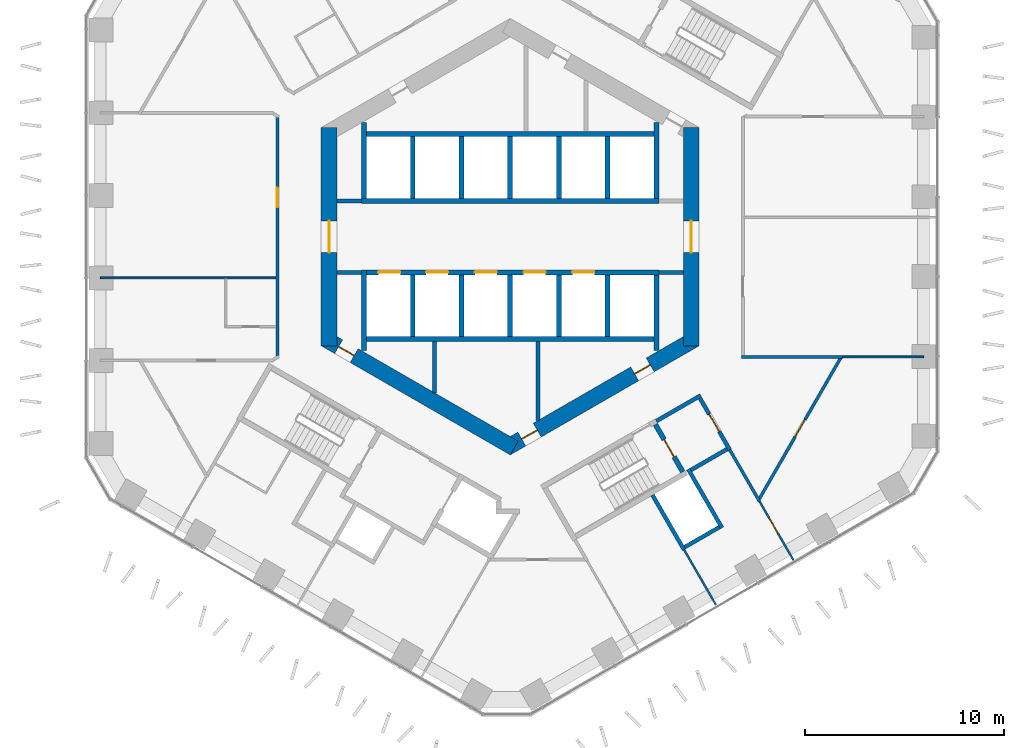
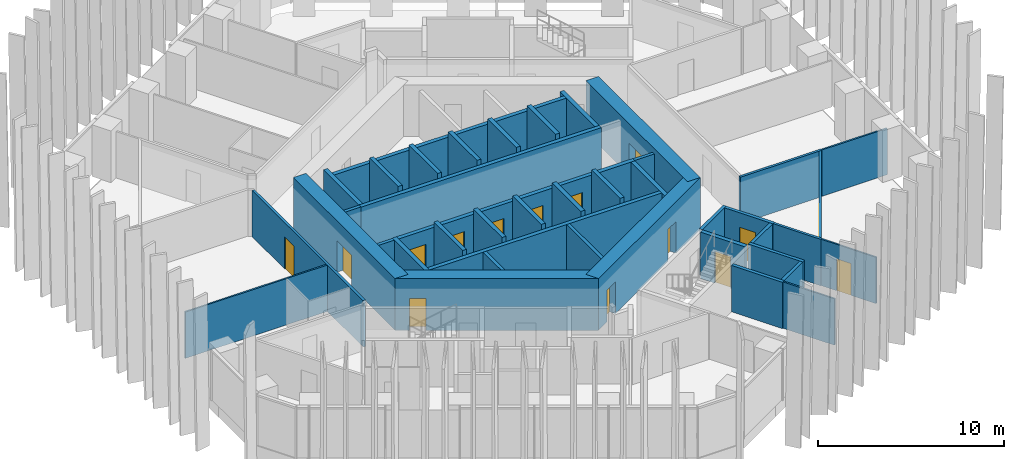
# One storey, part 14 of 20: 42 walls, 15 doors, 15 openings.
"""IFC4 building model written with IfcOpenShell, lengths in metres."""

import ifcopenshell
import ifcopenshell.guid

model = None  # the IFC model being written
_history = None  # IfcOwnerHistory: only IFC2X3 demands one
_inside = {}  # id of a spatial element -> (the spatial element, [elements in it])
_under = {}  # id of a project, library or spatial element -> (it, [spatial elements below it])
_declared = {}  # id of a project -> (the project, [libraries it declares])
_typed = {}  # id of a type object -> (the type object, [elements of that type])
_made_of = {}  # id of a material, layer set ... -> (it, [elements and type objects made of it])


def new_model(schema):
    """Start an empty IFC model of exactly this schema.

    Asked for "IFC4X3", IfcOpenShell would pick the latest addendum, in which some entities
    have other attributes; the version numbers below select the first issue.
    IFC2X3 requires an IfcOwnerHistory on every rooted entity: one is made here for all.
    """
    global model, _history
    if schema == "IFC4X3":
        model = ifcopenshell.file(schema_version=(4, 3, 0, 0))
    else:
        model = ifcopenshell.file(schema=schema)
    _inside.clear()
    _under.clear()
    _declared.clear()
    _typed.clear()
    _made_of.clear()
    _history = None
    if model.schema == "IFC2X3":
        org = make("IfcOrganization", Name="unknown")
        user = make(
            "IfcPersonAndOrganization",
            ThePerson=make("IfcPerson", FamilyName="unknown"),
            TheOrganization=org,
        )
        app = make(
            "IfcApplication",
            ApplicationDeveloper=org,
            Version="unknown",
            ApplicationFullName="unknown",
            ApplicationIdentifier="unknown",
        )
        _history = make(
            "IfcOwnerHistory",
            OwningUser=user,
            OwningApplication=app,
            ChangeAction="ADDED",
            CreationDate=0,
        )
    return model


def make(cls, **values):
    """One entity of the class cls with the attributes given. An attribute that is None is left unset."""
    return model.create_entity(
        cls, **{name: value for name, value in values.items() if value is not None}
    )


def rooted(cls, **values):
    """An entity with a GlobalId (a new one), such as an element, a storey or a relation."""
    return make(cls, GlobalId=ifcopenshell.guid.new(), OwnerHistory=_history, **values)


def si_unit(unit_type, name, prefix=None):
    """IfcSIUnit, for example si_unit("LENGTHUNIT", "METRE", prefix="MILLI")."""
    return make("IfcSIUnit", UnitType=unit_type, Prefix=prefix, Name=name)


def assignment(units):
    """IfcUnitAssignment: the units of a project."""
    return None if units is None else make("IfcUnitAssignment", Units=units)


def point(xyz):
    """IfcCartesianPoint."""
    return None if xyz is None else make("IfcCartesianPoint", Coordinates=xyz)


def direction(xyz):
    """IfcDirection."""
    return None if xyz is None else make("IfcDirection", DirectionRatios=xyz)


def frame(location, z_axis=None, x_axis=None):
    """IfcAxis2Placement3D, a coordinate frame: its origin and axes. An axis left out is left unset."""
    return make(
        "IfcAxis2Placement3D",
        Location=point(location),
        Axis=direction(z_axis),
        RefDirection=direction(x_axis),
    )


def frame_2d(location, x_axis=None):
    """IfcAxis2Placement2D, a coordinate frame in the plane: its origin and x axis."""
    return make(
        "IfcAxis2Placement2D", Location=point(location), RefDirection=direction(x_axis)
    )


def origin():
    """The frame at (0, 0, 0) with its axes left unset."""
    return frame((0.0, 0.0, 0.0))


def place(relative_to, where):
    """IfcLocalPlacement: puts the frame where relative to a parent placement (None: the world)."""
    return make(
        "IfcLocalPlacement", PlacementRelTo=relative_to, RelativePlacement=where
    )


def context(
    kind, dimensions, precision=None, world=None, true_north=None, identifier=None
):
    """IfcGeometricRepresentationContext, for example the 3D "Model" context."""
    return make(
        "IfcGeometricRepresentationContext",
        ContextIdentifier=identifier,
        ContextType=kind,
        CoordinateSpaceDimension=dimensions,
        Precision=precision,
        WorldCoordinateSystem=world,
        TrueNorth=true_north,
    )


def subcontext(parent, identifier, kind, view, scale=None):
    """IfcGeometricRepresentationSubContext, for example "Body" below "Model"."""
    return make(
        "IfcGeometricRepresentationSubContext",
        ContextIdentifier=identifier,
        ContextType=kind,
        ParentContext=parent,
        TargetScale=scale,
        TargetView=view,
    )


def project(units=None, contexts=None):
    """IfcProject with its units and contexts."""
    return rooted(
        "IfcProject",
        Name="project",
        RepresentationContexts=contexts,
        UnitsInContext=assignment(units),
    )


def spatial(cls, under=None, at=None, **own):
    """A site, building, storey or space (cls), placed at a placement, below another one or the project."""
    s = rooted(cls, ObjectPlacement=at, **own)
    if under is not None:
        _under.setdefault(under.id(), (under, []))[1].append(s)
    return s


def profile(cls, at=None, kind="AREA", **sizes):
    """A parametric profile (cls). Its sizes go by their IFC names, for example OverallWidth=200.0."""
    return make(cls, ProfileType=kind, Position=at, **sizes)


def rectangle(**sizes):
    """IfcRectangleProfileDef."""
    return profile("IfcRectangleProfileDef", **sizes)


def extrude(swept, where, along, depth):
    """IfcExtrudedAreaSolid: the profile swept, set in the frame where, extruded along a direction by depth."""
    return make(
        "IfcExtrudedAreaSolid",
        SweptArea=swept,
        Position=where,
        ExtrudedDirection=direction(along),
        Depth=depth,
    )


def shape(context_of_items, identifier, shape_type, items):
    """IfcShapeRepresentation: the items that make up one representation, for example the "Body"."""
    return make(
        "IfcShapeRepresentation",
        ContextOfItems=context_of_items,
        RepresentationIdentifier=identifier,
        RepresentationType=shape_type,
        Items=items,
    )


def material(Name=None, Category=None):
    """IfcMaterial."""
    return make("IfcMaterial", Name=Name, Category=Category)


def layer(
    of_material, thickness, ventilated=None, Name=None, Category=None, Priority=None
):
    """IfcMaterialLayer: one layer of a wall or slab, of a material (None: an air gap)."""
    return make(
        "IfcMaterialLayer",
        Material=of_material,
        LayerThickness=thickness,
        IsVentilated=ventilated,
        Name=Name,
        Category=Category,
        Priority=Priority,
    )


def layer_set(layers, Name=None):
    """IfcMaterialLayerSet."""
    return make("IfcMaterialLayerSet", MaterialLayers=layers, LayerSetName=Name)


def made_of(thing, what):
    """Note that an element or type object is made of a material, layer set ...; save() writes the relation."""
    if what is not None:
        _made_of.setdefault(what.id(), (what, []))[1].append(thing)
    return thing


def type_object(cls, material=None, **own):
    """A type object (cls), such as IfcWallType, which elements share."""
    return made_of(rooted(cls, **own), material)


def element(
    cls,
    number,
    at=None,
    inside=None,
    cuts=None,
    type_object=None,
    material=None,
    context=None,
    identifier="Body",
    shape_type=None,
    held_by="IfcProductDefinitionShape",
    body=None,
    shapes=None,
    **own,
):
    """One element of the class cls, such as IfcWall. Its Tag is "e" and its number.

    at: its placement. inside: the storey or other place that contains it. cuts: it is an
    opening in that element (IfcRelVoidsElement). A single representation is given by context,
    identifier, shape_type and body (its items); several are given by shapes. held_by: the class
    of the entity that holds the representations. save() writes the other relations.
    """
    e = rooted(cls, Tag="e%d" % number, ObjectPlacement=at, **own)
    if body is not None:
        shapes = [shape(context, identifier, shape_type, body)]
    if shapes is not None:
        e.Representation = make(held_by, Representations=shapes)
    if inside is not None:
        _inside.setdefault(inside.id(), (inside, []))[1].append(e)
    if cuts is not None:
        rooted(
            "IfcRelVoidsElement", RelatingBuildingElement=cuts, RelatedOpeningElement=e
        )
    if type_object is not None:
        _typed.setdefault(type_object.id(), (type_object, []))[1].append(e)
    return made_of(e, material)


def fill(opening, filler):
    """IfcRelFillsElement: the door or window that sits in an opening."""
    return rooted(
        "IfcRelFillsElement",
        RelatingOpeningElement=opening,
        RelatedBuildingElement=filler,
    )


def aggregate(whole, parts):
    """IfcRelAggregates: a whole, such as a stair, and the parts it consists of."""
    return rooted("IfcRelAggregates", RelatingObject=whole, RelatedObjects=parts)


def save(model, path):
    """Write the relations noted so far, then the file.

    IfcRelAggregates (storeys below a building ...), IfcRelContainedInSpatialStructure (elements
    in a storey), IfcRelDefinesByType, IfcRelAssociatesMaterial and IfcRelDeclares: one each for
    every whole, place, type object, material and project.
    """
    for whole, parts in _under.values():
        aggregate(whole, parts)
    for where, things in _inside.values():
        rooted(
            "IfcRelContainedInSpatialStructure",
            RelatedElements=things,
            RelatingStructure=where,
        )
    for kind, things in _typed.values():
        rooted("IfcRelDefinesByType", RelatedObjects=things, RelatingType=kind)
    for what, things in _made_of.values():
        rooted("IfcRelAssociatesMaterial", RelatedObjects=things, RelatingMaterial=what)
    for by, libraries in _declared.values():
        rooted("IfcRelDeclares", RelatingContext=by, RelatedDefinitions=libraries)
    model.write(path)


model = new_model("IFC4")

# Units and contexts
model_context = context("Model", 3, precision=1e-05, world=origin(), true_north=direction((0.0, 1.0)))
body_context = subcontext(model_context, "Body", "Model", "MODEL_VIEW")
ifc_project = project(units=[si_unit("LENGTHUNIT", "METRE"), si_unit("AREAUNIT", "SQUARE_METRE"), si_unit("VOLUMEUNIT", "CUBIC_METRE"), si_unit("PLANEANGLEUNIT", "RADIAN"), si_unit("MASSUNIT", "GRAM", prefix="KILO")], contexts=[model_context])

# Site, building, storey
site_placement = place(None, origin())
site = spatial("IfcSite", under=ifc_project, at=site_placement, CompositionType="ELEMENT")
building_placement = place(site_placement, origin())
building = spatial("IfcBuilding", under=site, at=building_placement, Name="Ayvan Gate Tower", CompositionType="ELEMENT")
storey_placement = place(building_placement, frame((0.0, 0.0, 35.699951171875)))
storey = spatial("IfcBuildingStorey", under=building, at=storey_placement, Name="L08", CompositionType="ELEMENT", Elevation=35.699951171875)

# Wall, opening, door
ifc_material_1 = material(Name="Concrete C70/85", Category="concrete")
ifc_layer_1 = layer(ifc_material_1, 0.800048828125)
ifc_layer_set_1 = layer_set([ifc_layer_1], Name="Concrete C70/85")
wall_type_1 = type_object("IfcWallType", Name="Core wall 800 C70/85", PredefinedType="SHEAR", material=ifc_layer_set_1)
wall_1_placement = place(storey_placement, frame((9.10009765625, -5.48486328125, 0.0), z_axis=(0.0, 0.0, 1.0), x_axis=(0.0, 1.0, 0.0)))
wall_1 = element("IfcWall", 1, at=wall_1_placement, inside=storey, type_object=wall_type_1, Name="CORE-L08-0", PredefinedType="SHEAR", context=body_context, shape_type="SweptSolid", body=[
    extrude(rectangle(XDim=10.9697265625, YDim=0.800048828125, at=frame_2d((5.48486328125, 0.0))), origin(), (0.0, 0.0, 1.0), 3.400146484375),
])
opening_1_placement = place(wall_1_placement, frame((4.684814453125, 0.0, 0.0)))
opening_1 = element("IfcOpeningElement", 2, at=opening_1_placement, cuts=wall_1, Name="Opening L08-D43", PredefinedType="OPENING", context=body_context, shape_type="SweptSolid", body=[
    extrude(rectangle(XDim=1.60009765625, YDim=2.10009765625, at=frame_2d((0.800048828125, 1.050048828125))), frame((0.0, 0.409912109375, 0.0), z_axis=(0.0, -1.0, 0.0), x_axis=(1.0, 0.0, 0.0)), (0.0, 0.0, 1.0), 0.820068359375),
])
ifc_material_2 = material(Name="Timber door leaf", Category="wood")
door_type_1 = type_object("IfcDoorType", Name="DT-1600", OperationType="NOTDEFINED", PredefinedType="DOOR", material=ifc_material_2)
door_1_placement = place(opening_1_placement, origin())
door_1 = element("IfcDoor", 3, at=door_1_placement, inside=storey, type_object=door_type_1, Name="CD-L08-43", OperationType="SINGLE_SWING_LEFT", OverallHeight=2.10009765625, OverallWidth=1.60009765625, PredefinedType="DOOR", context=body_context, shape_type="SweptSolid", body=[
    extrude(rectangle(XDim=1.60009765625, YDim=2.10009765625, at=frame_2d((0.800048828125, 1.050048828125))), frame((0.0, 0.02490234375, 0.0), z_axis=(0.0, -1.0, 0.0), x_axis=(1.0, 0.0, 0.0)), (0.0, 0.0, 1.0), 0.050048828125),
])
fill(opening_1, door_1)

wall_2_placement = place(storey_placement, frame((-9.10009765625, 5.48486328125, 0.0), z_axis=(0.0, 0.0, 1.0), x_axis=(0.0, -1.0, 0.0)))
wall_2 = element("IfcWall", 4, at=wall_2_placement, inside=storey, type_object=wall_type_1, Name="CORE-L08-3", PredefinedType="SHEAR", context=body_context, shape_type="SweptSolid", body=[
    extrude(rectangle(XDim=10.9697265625, YDim=0.800048828125, at=frame_2d((5.48486328125, 0.0))), origin(), (0.0, 0.0, 1.0), 3.400146484375),
])
opening_2_placement = place(wall_2_placement, frame((4.684814453125, 0.0, 0.0)))
opening_2 = element("IfcOpeningElement", 5, at=opening_2_placement, cuts=wall_2, Name="Opening L08-D44", PredefinedType="OPENING", context=body_context, shape_type="SweptSolid", body=[
    extrude(rectangle(XDim=1.60009765625, YDim=2.10009765625, at=frame_2d((0.800048828125, 1.050048828125))), frame((0.0, 0.409912109375, 0.0), z_axis=(0.0, -1.0, 0.0), x_axis=(1.0, 0.0, 0.0)), (0.0, 0.0, 1.0), 0.820068359375),
])
door_2_placement = place(opening_2_placement, origin())
door_2 = element("IfcDoor", 6, at=door_2_placement, inside=storey, type_object=door_type_1, Name="CD-L08-44", OperationType="SINGLE_SWING_RIGHT", OverallHeight=2.10009765625, OverallWidth=1.60009765625, PredefinedType="DOOR", context=body_context, shape_type="SweptSolid", body=[
    extrude(rectangle(XDim=1.60009765625, YDim=2.10009765625, at=frame_2d((0.800048828125, 1.050048828125))), frame((0.0, 0.02490234375, 0.0), z_axis=(0.0, -1.0, 0.0), x_axis=(1.0, 0.0, 0.0)), (0.0, 0.0, 1.0), 0.050048828125),
])
fill(opening_2, door_2)

wall_3_placement = place(storey_placement, frame((-9.300048828125, -5.138427734375, 0.0), z_axis=(0.0, 0.0, 1.0), x_axis=(0.866023993627, -0.500002442456, 0.0)))
wall_3 = element("IfcWall", 7, at=wall_3_placement, inside=storey, type_object=wall_type_1, Name="CORE-L08-4", PredefinedType="SHEAR", context=body_context, shape_type="SweptSolid", body=[
    extrude(rectangle(XDim=10.9697265625, YDim=0.800048828125, at=frame_2d((5.48486328125, 0.0))), origin(), (0.0, 0.0, 1.0), 3.400146484375),
])
opening_3_placement = place(wall_3_placement, frame((0.779541015625, 0.0, 0.0)))
opening_3 = element("IfcOpeningElement", 8, at=opening_3_placement, cuts=wall_3, Name="Opening L08-D40", PredefinedType="OPENING", context=body_context, shape_type="SweptSolid", body=[
    extrude(rectangle(XDim=0.89990234375, YDim=2.10009765625, at=frame_2d((0.449951171875, 1.050048828125))), frame((0.0, 0.409912109375, 0.0), z_axis=(0.0, -1.0, 0.0), x_axis=(1.0, 0.0, 0.0)), (0.0, 0.0, 1.0), 0.820068359375),
])
door_type_2 = type_object("IfcDoorType", Name="DT-900", OperationType="NOTDEFINED", PredefinedType="DOOR", material=ifc_material_2)
door_3_placement = place(opening_3_placement, origin())
door_3 = element("IfcDoor", 9, at=door_3_placement, inside=storey, type_object=door_type_2, Name="CD-L08-40", OperationType="SINGLE_SWING_RIGHT", OverallHeight=2.10009765625, OverallWidth=0.89990234375, PredefinedType="DOOR", context=body_context, shape_type="SweptSolid", body=[
    extrude(rectangle(XDim=0.89990234375, YDim=2.10009765625, at=frame_2d((0.449951171875, 1.050048828125))), frame((0.0, 0.02490234375, 0.0), z_axis=(0.0, -1.0, 0.0), x_axis=(1.0, 0.0, 0.0)), (0.0, 0.0, 1.0), 0.050048828125),
])
fill(opening_3, door_3)

# Wall, openings, doors
wall_4_placement = place(storey_placement, frame((-0.199951171875, -10.623291015625, 0.0), z_axis=(0.0, 0.0, 1.0), x_axis=(0.866023993627, 0.500002442456, 0.0)))
wall_4 = element("IfcWall", 10, at=wall_4_placement, inside=storey, type_object=wall_type_1, Name="CORE-L08-5", PredefinedType="SHEAR", context=body_context, shape_type="SweptSolid", body=[
    extrude(rectangle(XDim=10.9697265625, YDim=0.800048828125, at=frame_2d((5.48486328125, 0.0))), origin(), (0.0, 0.0, 1.0), 3.400146484375),
])
opening_4_placement = place(wall_4_placement, frame((0.89990234375, 0.0, 0.0)))
opening_4 = element("IfcOpeningElement", 11, at=opening_4_placement, cuts=wall_4, Name="Opening L08-D41", PredefinedType="OPENING", context=body_context, shape_type="SweptSolid", body=[
    extrude(rectangle(XDim=0.89990234375, YDim=2.10009765625, at=frame_2d((0.449951171875, 1.050048828125))), frame((0.0, 0.409912109375, 0.0), z_axis=(0.0, -1.0, 0.0), x_axis=(1.0, 0.0, 0.0)), (0.0, 0.0, 1.0), 0.820068359375),
])
opening_5_placement = place(wall_4_placement, frame((7.45458984375, 0.0, 0.0)))
opening_5 = element("IfcOpeningElement", 12, at=opening_5_placement, cuts=wall_4, Name="Opening L08-D42", PredefinedType="OPENING", context=body_context, shape_type="SweptSolid", body=[
    extrude(rectangle(XDim=0.89990234375, YDim=2.10009765625, at=frame_2d((0.449951171875, 1.050048828125))), frame((0.0, 0.409912109375, 0.0), z_axis=(0.0, -1.0, 0.0), x_axis=(1.0, 0.0, 0.0)), (0.0, 0.0, 1.0), 0.820068359375),
])
door_4_placement = place(opening_4_placement, origin())
door_4 = element("IfcDoor", 13, at=door_4_placement, inside=storey, type_object=door_type_2, Name="CD-L08-41", OperationType="SINGLE_SWING_LEFT", OverallHeight=2.10009765625, OverallWidth=0.89990234375, PredefinedType="DOOR", context=body_context, shape_type="SweptSolid", body=[
    extrude(rectangle(XDim=0.89990234375, YDim=2.10009765625, at=frame_2d((0.449951171875, 1.050048828125))), frame((0.0, 0.02490234375, 0.0), z_axis=(0.0, -1.0, 0.0), x_axis=(1.0, 0.0, 0.0)), (0.0, 0.0, 1.0), 0.050048828125),
])
fill(opening_4, door_4)
door_5_placement = place(opening_5_placement, origin())
door_5 = element("IfcDoor", 14, at=door_5_placement, inside=storey, type_object=door_type_2, Name="CD-L08-42", OperationType="SINGLE_SWING_RIGHT", OverallHeight=2.10009765625, OverallWidth=0.89990234375, PredefinedType="DOOR", context=body_context, shape_type="SweptSolid", body=[
    extrude(rectangle(XDim=0.89990234375, YDim=2.10009765625, at=frame_2d((0.449951171875, 1.050048828125))), frame((0.0, 0.02490234375, 0.0), z_axis=(0.0, -1.0, 0.0), x_axis=(1.0, 0.0, 0.0)), (0.0, 0.0, 1.0), 0.050048828125),
])
fill(opening_5, door_5)

# Wall, opening, door
ifc_material_3 = material(Name="Plasterboard on steel stud", Category="steel")
ifc_layer_2 = layer(ifc_material_3, 0.14990234375)
ifc_layer_set_2 = layer_set([ifc_layer_2], Name="Plasterboard on steel stud")
wall_type_2 = type_object("IfcWallType", Name="WT-CORR-150", PredefinedType="PARTITIONING", material=ifc_layer_set_2)
wall_5_placement = place(storey_placement, frame((-11.699951171875, -5.9873046875, 0.0), z_axis=(0.0, 0.0, 1.0), x_axis=(0.0, 1.0, 0.0)))
wall_5 = element("IfcWall", 15, at=wall_5_placement, inside=storey, type_object=wall_type_2, Name="IW-L08-019", PredefinedType="PARTITIONING", context=body_context, shape_type="SweptSolid", body=[
    extrude(rectangle(XDim=11.974609375, YDim=0.14990234375, at=frame_2d((5.9873046875, 0.0))), origin(), (0.0, 0.0, 1.0), 3.050048828125),
])
opening_6_placement = place(wall_5_placement, frame((7.458740234375, 0.0, 0.0)))
opening_6 = element("IfcOpeningElement", 16, at=opening_6_placement, cuts=wall_5, Name="Opening L08-D22", PredefinedType="OPENING", context=body_context, shape_type="SweptSolid", body=[
    extrude(rectangle(XDim=1.0, YDim=2.10009765625, at=frame_2d((0.5, 1.050048828125))), frame((0.0, 0.0849609375, 0.0), z_axis=(0.0, -1.0, 0.0), x_axis=(1.0, 0.0, 0.0)), (0.0, 0.0, 1.0), 0.169921875),
])
door_type_3 = type_object("IfcDoorType", Name="DT-1000", OperationType="NOTDEFINED", PredefinedType="DOOR", material=ifc_material_2)
door_6_placement = place(opening_6_placement, origin())
door_6 = element("IfcDoor", 17, at=door_6_placement, inside=storey, type_object=door_type_3, Name="ID-L08-022", OperationType="SINGLE_SWING_RIGHT", OverallHeight=2.10009765625, OverallWidth=1.0, PredefinedType="DOOR", context=body_context, shape_type="SweptSolid", body=[
    extrude(rectangle(XDim=1.0, YDim=2.10009765625, at=frame_2d((0.5, 1.050048828125))), frame((0.0, 0.02490234375, 0.0), z_axis=(0.0, -1.0, 0.0), x_axis=(1.0, 0.0, 0.0)), (0.0, 0.0, 1.0), 0.050048828125),
])
fill(opening_6, door_6)

# Walls
wall_6_placement = place(storey_placement, frame((11.625, -6.037353515625, 0.0), z_axis=(0.0, 0.0, 1.0), x_axis=(1.0, 0.0, 0.0)))
element("IfcWall", 18, at=wall_6_placement, inside=storey, type_object=wall_type_2, Name="IW-L08-105", PredefinedType="PARTITIONING", context=body_context, shape_type="SweptSolid", body=[
    extrude(rectangle(XDim=5.09423828125, YDim=0.14990234375, at=frame_2d((2.547119140625, 0.0))), origin(), (0.0, 0.0, 1.0), 3.050048828125),
])
wall_7_placement = place(storey_placement, frame((12.52734375, -13.298095703125, 0.0), z_axis=(0.0, 0.0, 1.0), x_axis=(-0.499954101135, 0.866051901885, 0.0)))
element("IfcWall", 19, at=wall_7_placement, inside=storey, type_object=wall_type_2, Name="IW-L08-109", PredefinedType="PARTITIONING", context=body_context, shape_type="SweptSolid", body=[
    extrude(rectangle(XDim=2.980224609375, YDim=0.14990234375, at=frame_2d((1.490234375, 0.0))), origin(), (0.0, 0.0, 1.0), 3.050048828125),
])

# Wall, opening, door
wall_8_placement = place(storey_placement, frame((16.606689453125, -6.102294921875, 0.0), z_axis=(0.0, 0.0, 1.0), x_axis=(-0.499984930112, -0.866034104213, 0.0)))
wall_8 = element("IfcWall", 20, at=wall_8_placement, inside=storey, type_object=wall_type_2, Name="IW-L08-114", PredefinedType="PARTITIONING", context=body_context, shape_type="SweptSolid", body=[
    extrude(rectangle(XDim=8.158935546875, YDim=0.14990234375, at=frame_2d((4.07958984375, 0.0))), origin(), (0.0, 0.0, 1.0), 3.050048828125),
])
opening_7_placement = place(wall_8_placement, frame((3.579345703125, 0.0, 0.0)))
opening_7 = element("IfcOpeningElement", 21, at=opening_7_placement, cuts=wall_8, Name="Opening L08-D31", PredefinedType="OPENING", context=body_context, shape_type="SweptSolid", body=[
    extrude(rectangle(XDim=1.0, YDim=2.10009765625, at=frame_2d((0.5, 1.050048828125))), frame((0.0, 0.0849609375, 0.0), z_axis=(0.0, -1.0, 0.0), x_axis=(1.0, 0.0, 0.0)), (0.0, 0.0, 1.0), 0.169921875),
])
door_7_placement = place(opening_7_placement, origin())
door_7 = element("IfcDoor", 22, at=door_7_placement, inside=storey, type_object=door_type_3, Name="ID-L08-031", OperationType="SINGLE_SWING_LEFT", OverallHeight=2.10009765625, OverallWidth=1.0, PredefinedType="DOOR", context=body_context, shape_type="SweptSolid", body=[
    extrude(rectangle(XDim=1.0, YDim=2.10009765625, at=frame_2d((0.5, 1.050048828125))), frame((0.0, 0.02490234375, 0.0), z_axis=(0.0, -1.0, 0.0), x_axis=(1.0, 0.0, 0.0)), (0.0, 0.0, 1.0), 0.050048828125),
])
fill(opening_7, door_7)

# Walls
ifc_layer_3 = layer(ifc_material_3, 0.10009765625)
ifc_layer_set_3 = layer_set([ifc_layer_3], Name="Plasterboard on steel stud")
wall_type_3 = type_object("IfcWallType", Name="WT-PART-100", PredefinedType="PARTITIONING", material=ifc_layer_set_3)
wall_9_placement = place(storey_placement, frame((-20.606689453125, -2.07421875, 0.0), z_axis=(0.0, 0.0, 1.0), x_axis=(1.0, 0.0, 0.0)))
element("IfcWall", 23, at=wall_9_placement, inside=storey, type_object=wall_type_3, Name="IW-L08-012", PredefinedType="PARTITIONING", context=body_context, shape_type="SweptSolid", body=[
    extrude(rectangle(XDim=8.831787109375, YDim=0.10009765625, at=frame_2d((4.416015625, 0.0))), origin(), (0.0, 0.0, 1.0), 3.050048828125),
])
wall_10_placement = place(storey_placement, frame((8.739990234375, -15.73828125, 0.0), z_axis=(0.0, 0.0, 1.0), x_axis=(0.500041366709, -0.866001519387, 0.0)))
element("IfcWall", 24, at=wall_10_placement, inside=storey, type_object=wall_type_3, Name="IW-L08-097", PredefinedType="PARTITIONING", context=body_context, shape_type="SweptSolid", body=[
    extrude(rectangle(XDim=3.202880859375, YDim=0.10009765625, at=frame_2d((1.6015625, 0.0))), origin(), (0.0, 0.0, 1.0), 3.050048828125),
])

# Wall, opening, door
wall_11_placement = place(storey_placement, frame((14.238525390625, -16.261962890625, 0.0), z_axis=(0.0, 0.0, 1.0), x_axis=(-0.499998273584, 0.866026400529, 0.0)))
wall_11 = element("IfcWall", 25, at=wall_11_placement, inside=storey, type_object=wall_type_3, Name="IW-L08-112", PredefinedType="PARTITIONING", context=body_context, shape_type="SweptSolid", body=[
    extrude(rectangle(XDim=3.42236328125, YDim=0.10009765625, at=frame_2d((1.711181640625, 0.0))), origin(), (0.0, 0.0, 1.0), 3.050048828125),
])
opening_8_placement = place(wall_11_placement, frame((1.55908203125, 0.0, 0.0)))
opening_8 = element("IfcOpeningElement", 26, at=opening_8_placement, cuts=wall_11, Name="Opening L08-D32", PredefinedType="OPENING", context=body_context, shape_type="SweptSolid", body=[
    extrude(rectangle(XDim=0.89990234375, YDim=2.10009765625, at=frame_2d((0.449951171875, 1.050048828125))), frame((0.0, 0.06005859375, 0.0), z_axis=(0.0, -1.0, 0.0), x_axis=(1.0, 0.0, 0.0)), (0.0, 0.0, 1.0), 0.1201171875),
])
door_8_placement = place(opening_8_placement, origin())
door_8 = element("IfcDoor", 27, at=door_8_placement, inside=storey, type_object=door_type_2, Name="ID-L08-032", OperationType="SINGLE_SWING_RIGHT", OverallHeight=2.10009765625, OverallWidth=0.89990234375, PredefinedType="DOOR", context=body_context, shape_type="SweptSolid", body=[
    extrude(rectangle(XDim=0.89990234375, YDim=2.10009765625, at=frame_2d((0.449951171875, 1.050048828125))), frame((0.0, 0.02490234375, 0.0), z_axis=(0.0, -1.0, 0.0), x_axis=(1.0, 0.0, 0.0)), (0.0, 0.0, 1.0), 0.050048828125),
])
fill(opening_8, door_8)

# Walls
wall_12_placement = place(storey_placement, frame((20.78466796875, -6.037353515625, 0.0), z_axis=(0.0, 0.0, 1.0), x_axis=(-1.0, 0.0, 0.0)))
element("IfcWall", 28, at=wall_12_placement, inside=storey, type_object=wall_type_3, Name="IW-L08-117", PredefinedType="PARTITIONING", context=body_context, shape_type="SweptSolid", body=[
    extrude(rectangle(XDim=4.0654296875, YDim=0.10009765625, at=frame_2d((2.03271484375, 0.0))), origin(), (0.0, 0.0, 1.0), 3.050048828125),
])
ifc_layer_4 = layer(ifc_material_3, 0.199951171875)
ifc_layer_set_4 = layer_set([ifc_layer_4], Name="Plasterboard on steel stud")
wall_type_4 = type_object("IfcWallType", Name="WT-PLUMB-200", PredefinedType="PLUMBINGWALL", material=ifc_layer_set_4)
wall_13_placement = place(storey_placement, frame((8.740234375, -15.738525390625, 0.0), z_axis=(0.0, 0.0, 1.0), x_axis=(-0.500017526161, 0.866015284814, 0.0)))
element("IfcWall", 29, at=wall_13_placement, inside=storey, type_object=wall_type_4, Name="IW-L08-098", PredefinedType="PLUMBINGWALL", context=body_context, shape_type="SweptSolid", body=[
    extrude(rectangle(XDim=3.17529296875, YDim=0.199951171875, at=frame_2d((1.587646484375, 0.0))), origin(), (0.0, 0.0, 1.0), 3.050048828125),
])
wall_14_placement = place(storey_placement, frame((8.9453125, -11.694091796875, 0.0), z_axis=(0.0, 0.0, 1.0), x_axis=(0.500062241894, -0.865989465428, 0.0)))
element("IfcWall", 30, at=wall_14_placement, inside=storey, type_object=wall_type_4, Name="IW-L08-100", PredefinedType="PLUMBINGWALL", context=body_context, shape_type="SweptSolid", body=[
    extrude(rectangle(XDim=3.39990234375, YDim=0.199951171875, at=frame_2d((1.699951171875, 0.0))), origin(), (0.0, 0.0, 1.0), 3.050048828125),
])
wall_15_placement = place(storey_placement, frame((10.5087890625, -14.601806640625, 0.0), z_axis=(0.0, 0.0, 1.0), x_axis=(-0.866010750942, -0.50002537861, 0.0)))
element("IfcWall", 31, at=wall_15_placement, inside=storey, type_object=wall_type_4, Name="IW-L08-103", PredefinedType="PLUMBINGWALL", context=body_context, shape_type="SweptSolid", body=[
    extrude(rectangle(XDim=2.0, YDim=0.199951171875, at=frame_2d((1.0, 0.0))), origin(), (0.0, 0.0, 1.0), 3.050048828125),
])
ifc_layer_5 = layer(ifc_material_3, 0.199951171875)
ifc_layer_set_5 = layer_set([ifc_layer_5], Name="Plasterboard on steel stud")
wall_type_5 = type_object("IfcWallType", Name="WT-RATED-200", PredefinedType="PARTITIONING", material=ifc_layer_set_5)
for number, where, z_axis, x_axis, name in (
    (32, (-8.699951171875, 1.800048828125, 0.0), (0.0, 0.0, 1.0), (1.0, 0.0, 0.0), "IW-L08-029"),
    (33, (-7.474853515625, -1.800048828125, 0.0), (0.0, 0.0, 1.0), (-1.0, 0.0, 0.0), "IW-L08-037"),
):
    element("IfcWall", number, at=place(storey_placement, frame(where, z_axis=z_axis, x_axis=x_axis)), inside=storey, type_object=wall_type_5, Name=name, PredefinedType="PARTITIONING", context=body_context, shape_type="SweptSolid", body=[
        extrude(rectangle(XDim=1.22509765625, YDim=0.199951171875, at=frame_2d((0.612548828125, 0.0))), origin(), (0.0, 0.0, 1.0), 3.050048828125),
    ])
wall_16_placement = place(storey_placement, frame((-3.800048828125, -5.27490234375, 0.0), z_axis=(0.0, 0.0, 1.0), x_axis=(0.0, -1.0, 0.0)))
element("IfcWall", 34, at=wall_16_placement, inside=storey, type_object=wall_type_5, Name="IW-L08-049", PredefinedType="PARTITIONING", context=body_context, shape_type="SweptSolid", body=[
    extrude(rectangle(XDim=2.5771484375, YDim=0.199951171875, at=frame_2d((1.28857421875, 0.0))), origin(), (0.0, 0.0, 1.0), 3.050048828125),
])
wall_17_placement = place(storey_placement, frame((1.39990234375, -5.27490234375, 0.0), z_axis=(0.0, 0.0, 1.0), x_axis=(0.0, -1.0, 0.0)))
element("IfcWall", 35, at=wall_17_placement, inside=storey, type_object=wall_type_5, Name="IW-L08-070", PredefinedType="PARTITIONING", context=body_context, shape_type="SweptSolid", body=[
    extrude(rectangle(XDim=3.962646484375, YDim=0.199951171875, at=frame_2d((1.9814453125, 0.0))), origin(), (0.0, 0.0, 1.0), 3.050048828125),
])
wall_18_placement = place(storey_placement, frame((7.343994140625, -9.27001953125, 0.0), z_axis=(0.0, 0.0, 1.0), x_axis=(0.866005588531, 0.500034319456, 0.0)))
element("IfcWall", 36, at=wall_18_placement, inside=storey, type_object=wall_type_5, Name="IW-L08-090", PredefinedType="PARTITIONING", context=body_context, shape_type="SweptSolid", body=[
    extrude(rectangle(XDim=2.574951171875, YDim=0.199951171875, at=frame_2d((1.28759765625, 0.0))), origin(), (0.0, 0.0, 1.0), 3.050048828125),
])
wall_19_placement = place(storey_placement, frame((8.699951171875, -1.800048828125, 0.0), z_axis=(0.0, 0.0, 1.0), x_axis=(-1.0, 0.0, 0.0)))
element("IfcWall", 37, at=wall_19_placement, inside=storey, type_object=wall_type_5, Name="IW-L08-099", PredefinedType="PARTITIONING", context=body_context, shape_type="SweptSolid", body=[
    extrude(rectangle(XDim=1.22509765625, YDim=0.199951171875, at=frame_2d((0.612548828125, 0.0))), origin(), (0.0, 0.0, 1.0), 3.050048828125),
])

# Wall, opening, door
wall_20_placement = place(storey_placement, frame((9.537353515625, -8.119140625, 0.0), z_axis=(0.0, 0.0, 1.0), x_axis=(0.499990139034, -0.866031096941, 0.0)))
wall_20 = element("IfcWall", 38, at=wall_20_placement, inside=storey, type_object=wall_type_5, Name="IW-L08-102", PredefinedType="PARTITIONING", context=body_context, shape_type="SweptSolid", body=[
    extrude(rectangle(XDim=3.0, YDim=0.199951171875, at=frame_2d((1.5, 0.0))), origin(), (0.0, 0.0, 1.0), 3.050048828125),
])
opening_9_placement = place(wall_20_placement, frame((0.93505859375, 0.0, 0.0)))
opening_9 = element("IfcOpeningElement", 39, at=opening_9_placement, cuts=wall_20, Name="Opening L08-D15", PredefinedType="OPENING", context=body_context, shape_type="SweptSolid", body=[
    extrude(rectangle(XDim=1.0, YDim=2.10009765625, at=frame_2d((0.5, 1.050048828125))), frame((0.0, 0.10986328125, 0.0), z_axis=(0.0, -1.0, 0.0), x_axis=(1.0, 0.0, 0.0)), (0.0, 0.0, 1.0), 0.219970703125),
])
door_9_placement = place(opening_9_placement, origin())
door_9 = element("IfcDoor", 40, at=door_9_placement, inside=storey, type_object=door_type_3, Name="ID-L08-015", OperationType="SINGLE_SWING_LEFT", OverallHeight=2.10009765625, OverallWidth=1.0, PredefinedType="DOOR", context=body_context, shape_type="SweptSolid", body=[
    extrude(rectangle(XDim=1.0, YDim=2.10009765625, at=frame_2d((0.5, 1.050048828125))), frame((0.0, 0.02490234375, 0.0), z_axis=(0.0, -1.0, 0.0), x_axis=(1.0, 0.0, 0.0)), (0.0, 0.0, 1.0), 0.050048828125),
])
fill(opening_9, door_9)

# Walls
wall_21_placement = place(storey_placement, frame((10.900634765625, -10.6806640625, 0.0), z_axis=(0.0, 0.0, 1.0), x_axis=(-0.866009402589, -0.500027713859, 0.0)))
element("IfcWall", 41, at=wall_21_placement, inside=storey, type_object=wall_type_5, Name="IW-L08-104", PredefinedType="PARTITIONING", context=body_context, shape_type="SweptSolid", body=[
    extrude(rectangle(XDim=2.10009765625, YDim=0.199951171875, at=frame_2d((1.050048828125, 0.0))), origin(), (0.0, 0.0, 1.0), 3.050048828125),
])
ifc_material_4 = material(Name="Concrete C50/60", Category="concrete")
ifc_layer_6 = layer(ifc_material_4, 0.25)
ifc_layer_set_6 = layer_set([ifc_layer_6], Name="Concrete C50/60")
wall_type_6 = type_object("IfcWallType", Name="WT-RC-250", PredefinedType="SHEAR", material=ifc_layer_set_6)
wall_22_placement = place(storey_placement, frame((-7.47509765625, 1.800048828125, 0.0), z_axis=(0.0, 0.0, 1.0), x_axis=(1.0, 0.0, 0.0)))
element("IfcWall", 42, at=wall_22_placement, inside=storey, type_object=wall_type_6, Name="IW-L08-033", PredefinedType="SHEAR", context=body_context, shape_type="SweptSolid", body=[
    extrude(rectangle(XDim=14.9501953125, YDim=0.25, at=frame_2d((7.47509765625, 0.0))), origin(), (0.0, 0.0, 1.0), 3.050048828125),
])
wall_23_placement = place(storey_placement, frame((-7.35009765625, -5.730224609375, 0.0), z_axis=(0.0, 0.0, 1.0), x_axis=(0.0, 1.0, 0.0)))
element("IfcWall", 43, at=wall_23_placement, inside=storey, type_object=wall_type_6, Name="IW-L08-034", PredefinedType="SHEAR", context=body_context, shape_type="SweptSolid", body=[
    extrude(rectangle(XDim=4.05517578125, YDim=0.25, at=frame_2d((2.027587890625, 0.0))), origin(), (0.0, 0.0, 1.0), 3.050048828125),
])
wall_24_placement = place(storey_placement, frame((-7.35009765625, 1.925048828125, 0.0), z_axis=(0.0, 0.0, 1.0), x_axis=(0.0, 1.0, 0.0)))
element("IfcWall", 44, at=wall_24_placement, inside=storey, type_object=wall_type_6, Name="IW-L08-035", PredefinedType="SHEAR", context=body_context, shape_type="SweptSolid", body=[
    extrude(rectangle(XDim=3.80517578125, YDim=0.25, at=frame_2d((1.902587890625, 0.0))), origin(), (0.0, 0.0, 1.0), 3.050048828125),
])
for number, where, z_axis, x_axis, name in (
    (45, (-7.22509765625, 5.14990234375, 0.0), (0.0, 0.0, 1.0), (1.0, 0.0, 0.0), "IW-L08-036"),
    (46, (-7.22509765625, -5.14990234375, 0.0), (0.0, 0.0, 1.0), (1.0, 0.0, 0.0), "IW-L08-042"),
):
    element("IfcWall", number, at=place(storey_placement, frame(where, z_axis=z_axis, x_axis=x_axis)), inside=storey, type_object=wall_type_6, Name=name, PredefinedType="SHEAR", context=body_context, shape_type="SweptSolid", body=[
        extrude(rectangle(XDim=14.7001953125, YDim=0.25, at=frame_2d((7.35009765625, 0.0))), origin(), (0.0, 0.0, 1.0), 3.050048828125),
    ])
for number, where, z_axis, x_axis, name in (
    (47, (-4.89990234375, -1.925048828125, 0.0), (0.0, 0.0, 1.0), (0.0, -1.0, 0.0), "IW-L08-043"),
    (48, (-4.89990234375, 5.02490234375, 0.0), (0.0, 0.0, 1.0), (0.0, -1.0, 0.0), "IW-L08-044"),
):
    element("IfcWall", number, at=place(storey_placement, frame(where, z_axis=z_axis, x_axis=x_axis)), inside=storey, type_object=wall_type_6, Name=name, PredefinedType="SHEAR", context=body_context, shape_type="SweptSolid", body=[
        extrude(rectangle(XDim=3.099853515625, YDim=0.25, at=frame_2d((1.5498046875, 0.0))), origin(), (0.0, 0.0, 1.0), 3.400146484375),
    ])

# Wall, openings, doors
wall_25_placement = place(storey_placement, frame((-7.22509765625, -1.800048828125, 0.0), z_axis=(0.0, 0.0, 1.0), x_axis=(1.0, 0.0, 0.0)))
wall_25 = element("IfcWall", 49, at=wall_25_placement, inside=storey, type_object=wall_type_6, Name="IW-L08-045", PredefinedType="SHEAR", context=body_context, shape_type="SweptSolid", body=[
    extrude(rectangle(XDim=14.7001953125, YDim=0.25, at=frame_2d((7.35009765625, 0.0))), origin(), (0.0, 0.0, 1.0), 3.050048828125),
])
opening_10_placement = place(wall_25_placement, frame((0.597412109375, 0.0, 0.0)))
opening_10 = element("IfcOpeningElement", 50, at=opening_10_placement, cuts=wall_25, Name="Opening L08-LD-LR1", PredefinedType="OPENING", context=body_context, shape_type="SweptSolid", body=[
    extrude(rectangle(XDim=1.10009765625, YDim=2.10009765625, at=frame_2d((0.550048828125, 1.050048828125))), frame((0.0, 0.135009765625, 0.0), z_axis=(0.0, -1.0, 0.0), x_axis=(1.0, 0.0, 0.0)), (0.0, 0.0, 1.0), 0.27001953125),
])
opening_11_placement = place(wall_25_placement, frame((3.0, 0.0, 0.0)))
opening_11 = element("IfcOpeningElement", 51, at=opening_11_placement, cuts=wall_25, Name="Opening L08-LD-LR2", PredefinedType="OPENING", context=body_context, shape_type="SweptSolid", body=[
    extrude(rectangle(XDim=1.10009765625, YDim=2.10009765625, at=frame_2d((0.550048828125, 1.050048828125))), frame((0.0, 0.135009765625, 0.0), z_axis=(0.0, -1.0, 0.0), x_axis=(1.0, 0.0, 0.0)), (0.0, 0.0, 1.0), 0.27001953125),
])
opening_12_placement = place(wall_25_placement, frame((5.4501953125, 0.0, 0.0)))
opening_12 = element("IfcOpeningElement", 52, at=opening_12_placement, cuts=wall_25, Name="Opening L08-LD-LR3", PredefinedType="OPENING", context=body_context, shape_type="SweptSolid", body=[
    extrude(rectangle(XDim=1.10009765625, YDim=2.10009765625, at=frame_2d((0.550048828125, 1.050048828125))), frame((0.0, 0.135009765625, 0.0), z_axis=(0.0, -1.0, 0.0), x_axis=(1.0, 0.0, 0.0)), (0.0, 0.0, 1.0), 0.27001953125),
])
opening_13_placement = place(wall_25_placement, frame((7.900146484375, 0.0, 0.0)))
opening_13 = element("IfcOpeningElement", 53, at=opening_13_placement, cuts=wall_25, Name="Opening L08-LD-LR4", PredefinedType="OPENING", context=body_context, shape_type="SweptSolid", body=[
    extrude(rectangle(XDim=1.10009765625, YDim=2.10009765625, at=frame_2d((0.550048828125, 1.050048828125))), frame((0.0, 0.135009765625, 0.0), z_axis=(0.0, -1.0, 0.0), x_axis=(1.0, 0.0, 0.0)), (0.0, 0.0, 1.0), 0.27001953125),
])
opening_14_placement = place(wall_25_placement, frame((10.35009765625, 0.0, 0.0)))
opening_14 = element("IfcOpeningElement", 54, at=opening_14_placement, cuts=wall_25, Name="Opening L08-LD-SV", PredefinedType="OPENING", context=body_context, shape_type="SweptSolid", body=[
    extrude(rectangle(XDim=1.10009765625, YDim=2.10009765625, at=frame_2d((0.550048828125, 1.050048828125))), frame((0.0, 0.135009765625, 0.0), z_axis=(0.0, -1.0, 0.0), x_axis=(1.0, 0.0, 0.0)), (0.0, 0.0, 1.0), 0.27001953125),
])
ifc_material_5 = material(Name="Stainless steel landing door", Category="steel")
door_type_4 = type_object("IfcDoorType", Name="DT-LANDING-1100", OperationType="SLIDING_TO_LEFT", PredefinedType="DOOR", material=ifc_material_5)
door_10_placement = place(opening_10_placement, origin())
door_10 = element("IfcDoor", 55, at=door_10_placement, inside=storey, type_object=door_type_4, Name="ID-L08-001", OperationType="SLIDING_TO_LEFT", OverallHeight=2.10009765625, OverallWidth=1.10009765625, PredefinedType="DOOR", context=body_context, shape_type="SweptSolid", body=[
    extrude(rectangle(XDim=1.10009765625, YDim=2.10009765625, at=frame_2d((0.550048828125, 1.050048828125))), frame((0.0, 0.02490234375, 0.0), z_axis=(0.0, -1.0, 0.0), x_axis=(1.0, 0.0, 0.0)), (0.0, 0.0, 1.0), 0.050048828125),
])
fill(opening_10, door_10)
door_11_placement = place(opening_11_placement, origin())
door_11 = element("IfcDoor", 56, at=door_11_placement, inside=storey, type_object=door_type_4, Name="ID-L08-002", OperationType="SLIDING_TO_LEFT", OverallHeight=2.10009765625, OverallWidth=1.10009765625, PredefinedType="DOOR", context=body_context, shape_type="SweptSolid", body=[
    extrude(rectangle(XDim=1.10009765625, YDim=2.10009765625, at=frame_2d((0.550048828125, 1.050048828125))), frame((0.0, 0.02490234375, 0.0), z_axis=(0.0, -1.0, 0.0), x_axis=(1.0, 0.0, 0.0)), (0.0, 0.0, 1.0), 0.050048828125),
])
fill(opening_11, door_11)
door_12_placement = place(opening_12_placement, origin())
door_12 = element("IfcDoor", 57, at=door_12_placement, inside=storey, type_object=door_type_4, Name="ID-L08-003", OperationType="SLIDING_TO_LEFT", OverallHeight=2.10009765625, OverallWidth=1.10009765625, PredefinedType="DOOR", context=body_context, shape_type="SweptSolid", body=[
    extrude(rectangle(XDim=1.10009765625, YDim=2.10009765625, at=frame_2d((0.550048828125, 1.050048828125))), frame((0.0, 0.02490234375, 0.0), z_axis=(0.0, -1.0, 0.0), x_axis=(1.0, 0.0, 0.0)), (0.0, 0.0, 1.0), 0.050048828125),
])
fill(opening_12, door_12)
door_13_placement = place(opening_13_placement, origin())
door_13 = element("IfcDoor", 58, at=door_13_placement, inside=storey, type_object=door_type_4, Name="ID-L08-004", OperationType="SLIDING_TO_LEFT", OverallHeight=2.10009765625, OverallWidth=1.10009765625, PredefinedType="DOOR", context=body_context, shape_type="SweptSolid", body=[
    extrude(rectangle(XDim=1.10009765625, YDim=2.10009765625, at=frame_2d((0.550048828125, 1.050048828125))), frame((0.0, 0.02490234375, 0.0), z_axis=(0.0, -1.0, 0.0), x_axis=(1.0, 0.0, 0.0)), (0.0, 0.0, 1.0), 0.050048828125),
])
fill(opening_13, door_13)
door_14_placement = place(opening_14_placement, origin())
door_14 = element("IfcDoor", 59, at=door_14_placement, inside=storey, type_object=door_type_4, Name="ID-L08-005", OperationType="SLIDING_TO_LEFT", OverallHeight=2.10009765625, OverallWidth=1.10009765625, PredefinedType="DOOR", context=body_context, shape_type="SweptSolid", body=[
    extrude(rectangle(XDim=1.10009765625, YDim=2.10009765625, at=frame_2d((0.550048828125, 1.050048828125))), frame((0.0, 0.02490234375, 0.0), z_axis=(0.0, -1.0, 0.0), x_axis=(1.0, 0.0, 0.0)), (0.0, 0.0, 1.0), 0.050048828125),
])
fill(opening_14, door_14)

# Walls
for number, where, z_axis, x_axis, name in (
    (60, (-2.449951171875, -1.925048828125, 0.0), (0.0, 0.0, 1.0), (0.0, -1.0, 0.0), "IW-L08-055"),
    (61, (-2.449951171875, 5.02490234375, 0.0), (0.0, 0.0, 1.0), (0.0, -1.0, 0.0), "IW-L08-056"),
    (62, (0.0, -1.925048828125, 0.0), (0.0, 0.0, 1.0), (0.0, -1.0, 0.0), "IW-L08-063"),
    (63, (0.0, 5.02490234375, 0.0), (0.0, 0.0, 1.0), (0.0, -1.0, 0.0), "IW-L08-064"),
    (64, (2.449951171875, -1.925048828125, 0.0), (0.0, 0.0, 1.0), (0.0, -1.0, 0.0), "IW-L08-073"),
    (65, (2.449951171875, 5.02490234375, 0.0), (0.0, 0.0, 1.0), (0.0, -1.0, 0.0), "IW-L08-074"),
    (66, (4.89990234375, -1.925048828125, 0.0), (0.0, 0.0, 1.0), (0.0, -1.0, 0.0), "IW-L08-084"),
    (67, (4.89990234375, 5.02490234375, 0.0), (0.0, 0.0, 1.0), (0.0, -1.0, 0.0), "IW-L08-085"),
):
    element("IfcWall", number, at=place(storey_placement, frame(where, z_axis=z_axis, x_axis=x_axis)), inside=storey, type_object=wall_type_6, Name=name, PredefinedType="SHEAR", context=body_context, shape_type="SweptSolid", body=[
        extrude(rectangle(XDim=3.099853515625, YDim=0.25, at=frame_2d((1.5498046875, 0.0))), origin(), (0.0, 0.0, 1.0), 3.400146484375),
    ])

# Wall, opening, door
wall_26_placement = place(storey_placement, frame((7.298095703125, -9.44091796875, 0.0), z_axis=(0.0, 0.0, 1.0), x_axis=(0.500034990121, -0.866005201286, 0.0)))
wall_26 = element("IfcWall", 68, at=wall_26_placement, inside=storey, type_object=wall_type_6, Name="IW-L08-089", PredefinedType="SHEAR", context=body_context, shape_type="SweptSolid", body=[
    extrude(rectangle(XDim=2.749755859375, YDim=0.25, at=frame_2d((1.375, 0.0))), origin(), (0.0, 0.0, 1.0), 3.050048828125),
])
opening_15_placement = place(wall_26_placement, frame((0.875, 0.0, 0.0)))
opening_15 = element("IfcOpeningElement", 69, at=opening_15_placement, cuts=wall_26, Name="Opening L08-D16", PredefinedType="OPENING", context=body_context, shape_type="SweptSolid", body=[
    extrude(rectangle(XDim=1.0, YDim=2.10009765625, at=frame_2d((0.5, 1.050048828125))), frame((0.0, 0.135009765625, 0.0), z_axis=(0.0, -1.0, 0.0), x_axis=(1.0, 0.0, 0.0)), (0.0, 0.0, 1.0), 0.27001953125),
])
door_15_placement = place(opening_15_placement, origin())
door_15 = element("IfcDoor", 70, at=door_15_placement, inside=storey, type_object=door_type_3, Name="ID-L08-016", OperationType="SINGLE_SWING_RIGHT", OverallHeight=2.10009765625, OverallWidth=1.0, PredefinedType="DOOR", context=body_context, shape_type="SweptSolid", body=[
    extrude(rectangle(XDim=1.0, YDim=2.10009765625, at=frame_2d((0.5, 1.050048828125))), frame((0.0, 0.02490234375, 0.0), z_axis=(0.0, -1.0, 0.0), x_axis=(1.0, 0.0, 0.0)), (0.0, 0.0, 1.0), 0.050048828125),
])
fill(opening_15, door_15)

# Walls
for number, where, z_axis, x_axis, name in (
    (71, (7.35009765625, -1.925048828125, 0.0), (0.0, 0.0, 1.0), (0.0, -1.0, 0.0), "IW-L08-092"),
    (72, (7.35009765625, 5.730224609375, 0.0), (0.0, 0.0, 1.0), (0.0, -1.0, 0.0), "IW-L08-093"),
):
    element("IfcWall", number, at=place(storey_placement, frame(where, z_axis=z_axis, x_axis=x_axis)), inside=storey, type_object=wall_type_6, Name=name, PredefinedType="SHEAR", context=body_context, shape_type="SweptSolid", body=[
        extrude(rectangle(XDim=3.80517578125, YDim=0.25, at=frame_2d((1.902587890625, 0.0))), origin(), (0.0, 0.0, 1.0), 3.050048828125),
    ])

save(model, "model.ifc")
